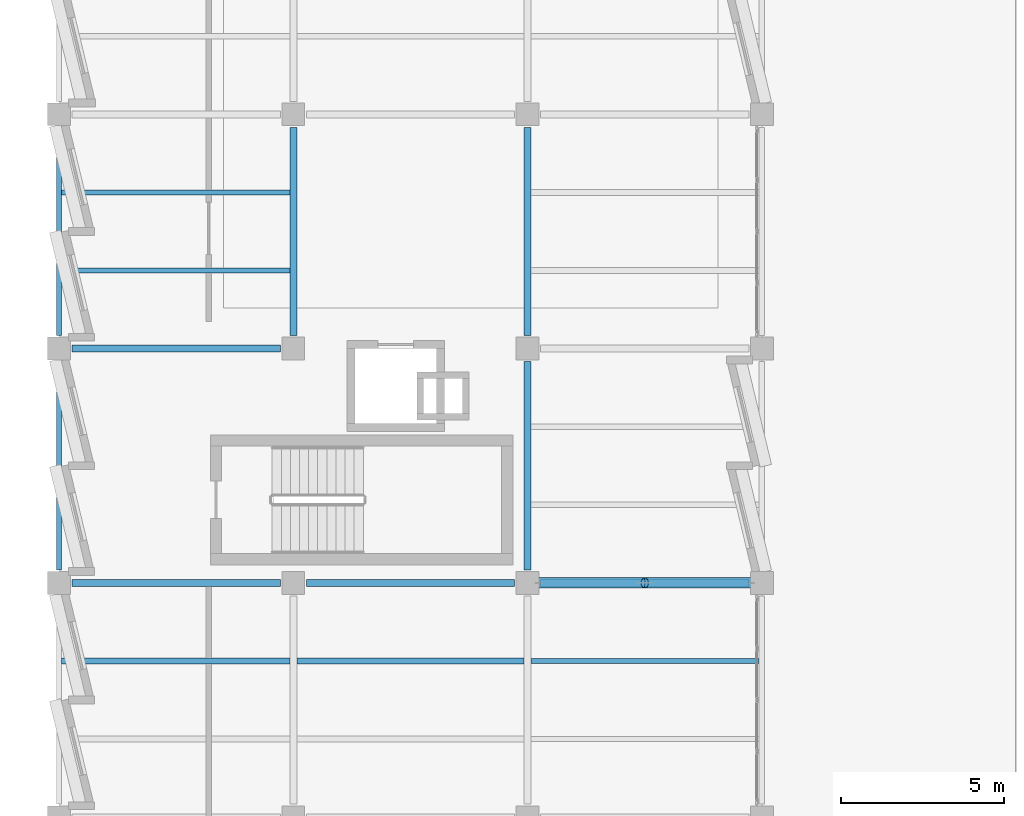
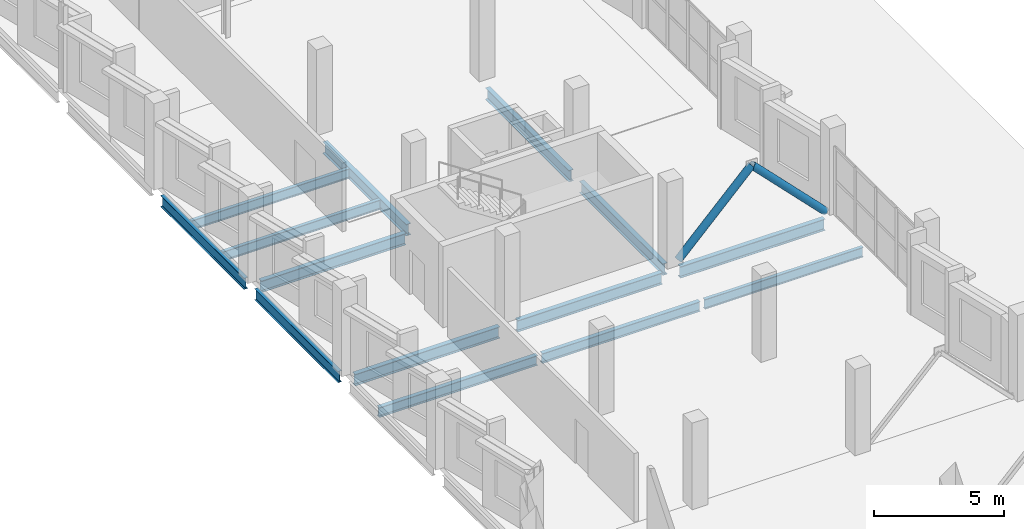
# One storey, part 14 of 38: 14 beams, 2 members.
"""IFC4 building model written with IfcOpenShell, lengths in metres."""

from ifc_helpers import new_model, si_unit, direction, frame, origin, origin_2d, place, context, subcontext, project, spatial, hollow_circle, i_section, extrude, material, material_profile, profile_set, type_object, element, save


model = new_model("IFC4")

# Units and contexts
model_context = context("Model", 3, precision=1e-05, world=origin(), true_north=direction((0.0, 1.0)))
body_context = subcontext(model_context, "Body", "Model", "MODEL_VIEW")
ifc_project = project(units=[si_unit("LENGTHUNIT", "METRE"), si_unit("AREAUNIT", "SQUARE_METRE"), si_unit("VOLUMEUNIT", "CUBIC_METRE"), si_unit("PLANEANGLEUNIT", "RADIAN"), si_unit("MASSUNIT", "GRAM", prefix="KILO")], contexts=[model_context])

# Site, building, storey
site_placement = place(None, origin())
site = spatial("IfcSite", under=ifc_project, at=site_placement, CompositionType="ELEMENT")
building_placement = place(site_placement, origin())
building = spatial("IfcBuilding", under=site, at=building_placement, Name="Kalmorath City Hall", CompositionType="ELEMENT")
storey_placement = place(building_placement, frame((0.0, 0.0, 18.89990234375)))
storey = spatial("IfcBuildingStorey", under=building, at=storey_placement, Name="L04", CompositionType="ELEMENT", Elevation=18.89990234375)

# Beams
ifc_material_1 = material(Name="Steel ASTM A992 Grade 50", Category="steel")
ifc_material_profile_1 = material_profile(ifc_material_1, i_section(OverallWidth=0.153076171875, OverallDepth=0.455078125, WebThickness=0.008056640625, FlangeThickness=0.01318359375, FilletRadius=0.013916015625, at=origin_2d()), Name="W18X40")
ifc_profile_set_1 = profile_set([ifc_material_profile_1], Name="Steel ASTM A992 Grade 50")
beam_type_1 = type_object("IfcBeamType", Name="Steel composite joist W18X40", PredefinedType="JOIST", material=ifc_profile_set_1)
for number, where, z_axis, x_axis, name in (
    (1, (0.08251953125, 60.0, -0.521484375), (1.0, 0.0, 0.0), (0.0, 1.0, 0.0), "L04 joist SJ4 1.9.1"),
    (2, (0.08251953125, 62.39990234375, -0.521484375), (1.0, 0.0, 0.0), (0.0, 1.0, 0.0), "L04 joist SJ4 1.9.2"),
    (3, (14.505615234375, 48.0, -0.521484375), (1.0, 0.0, 0.0), (0.0, 1.0, 0.0), "L04 joist SJ4 3.7.2"),
):
    element("IfcBeam", number, at=place(storey_placement, frame(where, z_axis=z_axis, x_axis=x_axis)), inside=storey, type_object=beam_type_1, Name=name, PredefinedType="JOIST", context=body_context, shape_type="SweptSolid", body=[
        extrude(i_section(OverallWidth=0.153076171875, OverallDepth=0.455078125, WebThickness=0.008056640625, FlangeThickness=0.01318359375, FilletRadius=0.013916015625, at=origin_2d()), origin(), (0.0, 0.0, 1.0), 7.011962890625),
    ])
ifc_material_2 = material(Name="Steel ASTM A992 Grade 50", Category="steel")
ifc_material_profile_2 = material_profile(ifc_material_2, i_section(OverallWidth=0.19091796875, OverallDepth=0.45703125, WebThickness=0.009033203125, FlangeThickness=0.014404296875, FilletRadius=0.013916015625, at=origin_2d()), Name="W18X50")
ifc_profile_set_2 = profile_set([ifc_material_profile_2], Name="Steel ASTM A992 Grade 50")
beam_type_2 = type_object("IfcBeamType", Name="Steel composite joist W18X50", PredefinedType="JOIST", material=ifc_profile_set_2)
beam_1_placement = place(storey_placement, frame((7.305419921875, 48.0, -0.5224609375), z_axis=(1.0, 0.0, 0.0), x_axis=(0.0, 1.0, 0.0)))
element("IfcBeam", 4, at=beam_1_placement, inside=storey, type_object=beam_type_2, Name="L04 joist SJ3 2.7.2", PredefinedType="JOIST", context=body_context, shape_type="SweptSolid", body=[
    extrude(i_section(OverallWidth=0.19091796875, OverallDepth=0.45703125, WebThickness=0.009033203125, FlangeThickness=0.014404296875, FilletRadius=0.013916015625, at=origin_2d()), origin(), (0.0, 0.0, 1.0), 6.989013671875),
])
ifc_material_3 = material(Name="Steel ASTM A992 Grade 50", Category="steel")
ifc_material_profile_3 = material_profile(ifc_material_3, i_section(OverallWidth=0.19091796875, OverallDepth=0.4599609375, WebThickness=0.010009765625, FlangeThickness=0.01611328125, FilletRadius=0.013916015625, at=origin_2d()), Name="W18X55")
ifc_profile_set_3 = profile_set([ifc_material_profile_3], Name="Steel ASTM A992 Grade 50")
beam_type_3 = type_object("IfcBeamType", Name="Steel composite joist W18X55", PredefinedType="JOIST", material=ifc_profile_set_3)
beam_2_placement = place(storey_placement, frame((0.08251953125, 48.0, -0.52392578125), z_axis=(1.0, 0.0, 0.0), x_axis=(0.0, 1.0, 0.0)))
element("IfcBeam", 5, at=beam_2_placement, inside=storey, type_object=beam_type_3, Name="L04 joist SJ2 1.7.2", PredefinedType="JOIST", context=body_context, shape_type="SweptSolid", body=[
    extrude(i_section(OverallWidth=0.19091796875, OverallDepth=0.4599609375, WebThickness=0.010009765625, FlangeThickness=0.01611328125, FilletRadius=0.013916015625, at=origin_2d()), origin(), (0.0, 0.0, 1.0), 7.011962890625),
])
ifc_material_4 = material(Name="Steel ASTM A992 Grade 50", Category="steel")
ifc_material_profile_4 = material_profile(ifc_material_4, i_section(OverallWidth=0.2109375, OverallDepth=0.5390625, WebThickness=0.01171875, FlangeThickness=0.018798828125, FilletRadius=0.014892578125, at=origin_2d()), Name="W21X73")
ifc_profile_set_4 = profile_set([ifc_material_profile_4], Name="Steel ASTM A992 Grade 50")
beam_type_4 = type_object("IfcBeamType", Name="Steel floor beam W21X73", PredefinedType="BEAM", material=ifc_profile_set_4)
beam_3_placement = place(storey_placement, frame((0.39990234375, 50.39990234375, -0.5634765625), z_axis=(1.0, 0.0, 0.0), x_axis=(0.0, 1.0, 0.0)))
element("IfcBeam", 6, at=beam_3_placement, inside=storey, type_object=beam_type_4, Name="L04 girder SB1 X1-2/8", PredefinedType="BEAM", context=body_context, shape_type="SweptSolid", body=[
    extrude(i_section(OverallWidth=0.2109375, OverallDepth=0.5390625, WebThickness=0.01171875, FlangeThickness=0.018798828125, FilletRadius=0.014892578125, at=origin_2d()), origin(), (0.0, 0.0, 1.0), 6.400146484375),
])
for number, where, z_axis, x_axis, name in (
    (7, (7.60009765625, 50.39990234375, -0.5634765625), (1.0, 0.0, 0.0), (0.0, 1.0, 0.0), "L04 girder SB1 X2-3/8"),
    (8, (14.800048828125, 50.39990234375, -0.5634765625), (1.0, 0.0, 0.0), (0.0, 1.0, 0.0), "L04 girder SB1 X3-4/8"),
):
    element("IfcBeam", number, at=place(storey_placement, frame(where, z_axis=z_axis, x_axis=x_axis)), inside=storey, type_object=beam_type_4, Name=name, PredefinedType="BEAM", context=body_context, shape_type="SweptSolid", body=[
        extrude(i_section(OverallWidth=0.2109375, OverallDepth=0.5390625, WebThickness=0.01171875, FlangeThickness=0.018798828125, FilletRadius=0.014892578125, at=origin_2d()), origin(), (0.0, 0.0, 1.0), 6.39990234375),
    ])
beam_4_placement = place(storey_placement, frame((0.39990234375, 57.60009765625, -0.5634765625), z_axis=(1.0, 0.0, 0.0), x_axis=(0.0, 1.0, 0.0)))
element("IfcBeam", 9, at=beam_4_placement, inside=storey, type_object=beam_type_4, Name="L04 girder SB1 X1-2/9", PredefinedType="BEAM", context=body_context, shape_type="SweptSolid", body=[
    extrude(i_section(OverallWidth=0.2109375, OverallDepth=0.5390625, WebThickness=0.01171875, FlangeThickness=0.018798828125, FilletRadius=0.014892578125, at=origin_2d()), origin(), (0.0, 0.0, 1.0), 6.400146484375),
])
for number, where, z_axis, x_axis, name in (
    (10, (7.199951171875, 58.0, -0.5634765625), (0.0, 1.0, 0.0), (-1.0, 0.0, 0.0), "L04 girder SB1 Y2/9-10"),
    (11, (14.39990234375, 50.800048828125, -0.5634765625), (0.0, 1.0, 0.0), (-1.0, 0.0, 0.0), "L04 girder SB1 Y3/8-9"),
    (12, (14.39990234375, 58.0, -0.5634765625), (0.0, 1.0, 0.0), (-1.0, 0.0, 0.0), "L04 girder SB1 Y3/9-10"),
):
    element("IfcBeam", number, at=place(storey_placement, frame(where, z_axis=z_axis, x_axis=x_axis)), inside=storey, type_object=beam_type_4, Name=name, PredefinedType="BEAM", context=body_context, shape_type="SweptSolid", body=[
        extrude(i_section(OverallWidth=0.2109375, OverallDepth=0.5390625, WebThickness=0.01171875, FlangeThickness=0.018798828125, FilletRadius=0.014892578125, at=origin_2d()), origin(), (0.0, 0.0, 1.0), 6.39990234375),
    ])
ifc_material_5 = material(Name="Steel ASTM A992 Grade 50", Category="steel")
ifc_material_profile_5 = material_profile(ifc_material_5, i_section(OverallWidth=0.1650390625, OverallDepth=0.52490234375, WebThickness=0.0087890625, FlangeThickness=0.011474609375, FilletRadius=0.014892578125, at=origin_2d()), Name="W21X44")
ifc_profile_set_5 = profile_set([ifc_material_profile_5], Name="Steel ASTM A992 Grade 50")
beam_type_5 = type_object("IfcBeamType", Name="Steel spandrel beam W21X44", PredefinedType="SPANDREL", material=ifc_profile_set_5)
for number, where, z_axis, x_axis, name in (
    (13, (0.0, 50.800048828125, -0.556396484375), (0.0, 1.0, 0.0), (-1.0, 0.0, 0.0), "L04 girder SB4 Y1/8-9"),
    (14, (0.0, 58.0, -0.556396484375), (0.0, 1.0, 0.0), (-1.0, 0.0, 0.0), "L04 girder SB4 Y1/9-10"),
):
    element("IfcBeam", number, at=place(storey_placement, frame(where, z_axis=z_axis, x_axis=x_axis)), inside=storey, type_object=beam_type_5, Name=name, PredefinedType="SPANDREL", context=body_context, shape_type="SweptSolid", body=[
        extrude(i_section(OverallWidth=0.1650390625, OverallDepth=0.52490234375, WebThickness=0.0087890625, FlangeThickness=0.011474609375, FilletRadius=0.014892578125, at=origin_2d()), origin(), (0.0, 0.0, 1.0), 6.39990234375),
    ])

# Members
ifc_material_6 = material(Name="Steel ASTM A500 Grade C", Category="steel")
ifc_material_profile_6 = material_profile(ifc_material_6, hollow_circle(Radius=0.162109375, WallThickness=0.01171875, at=origin_2d()), Name="HSS324X12.7")
ifc_profile_set_6 = profile_set([ifc_material_profile_6], Name="Steel ASTM A500 Grade C")
member_type = type_object("IfcMemberType", Name="Steel tubular strut HSS324X12.7", PredefinedType="BRACE", material=ifc_profile_set_6)
for number, where, z_axis, x_axis, name in (
    (15, (14.75, 50.39990234375, 0.0), (0.701683305053, 0.0, 0.71248897494), (0.0, 1.0, 0.0), "L04 chevron brace BR5 3A"),
    (16, (21.25, 50.39990234375, 0.0), (-0.701683305053, 0.0, 0.71248897494), (0.0, -1.0, 0.0), "L04 chevron brace BR5 3B"),
):
    element("IfcMember", number, at=place(storey_placement, frame(where, z_axis=z_axis, x_axis=x_axis)), inside=storey, type_object=member_type, Name=name, PredefinedType="BRACE", context=body_context, shape_type="SweptSolid", body=[
        extrude(hollow_circle(Radius=0.162109375, WallThickness=0.01171875, at=origin_2d()), origin(), (0.0, 0.0, 1.0), 4.6318359375),
    ])

save(model, "model.ifc")
